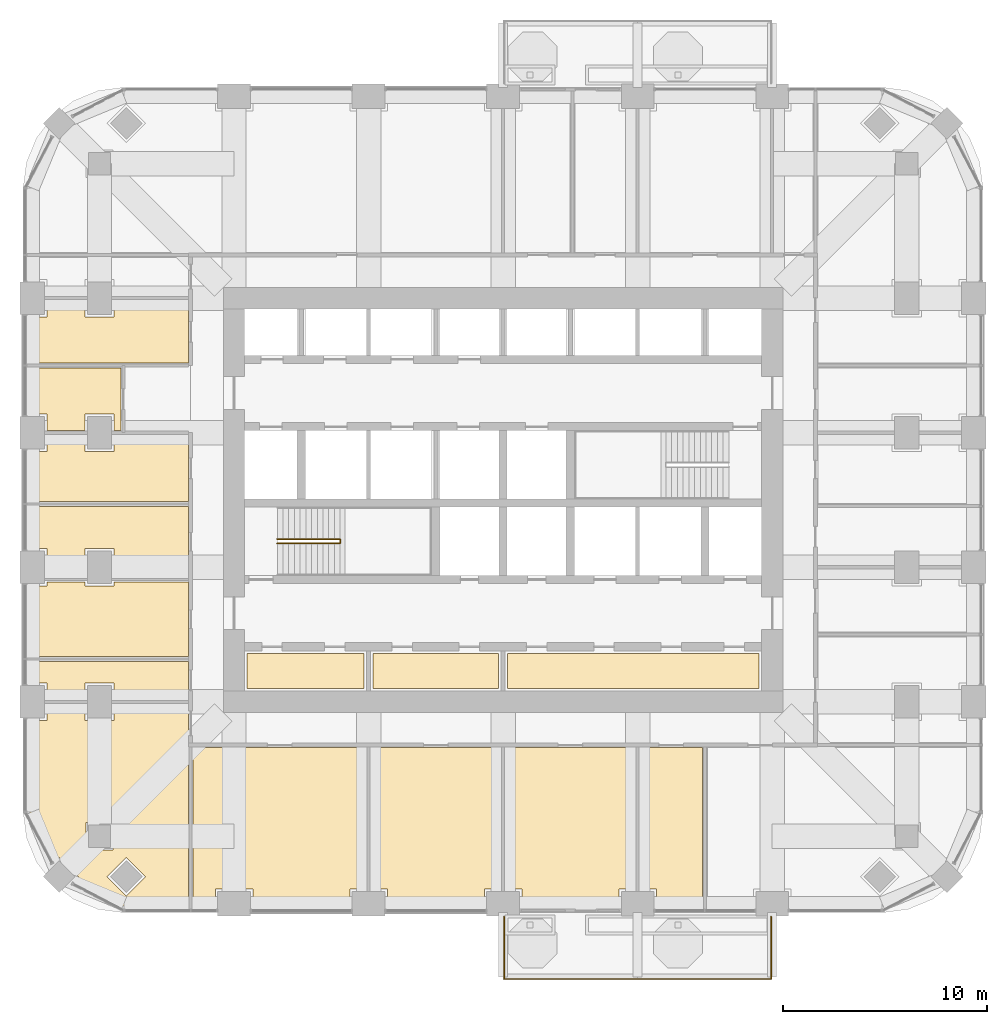
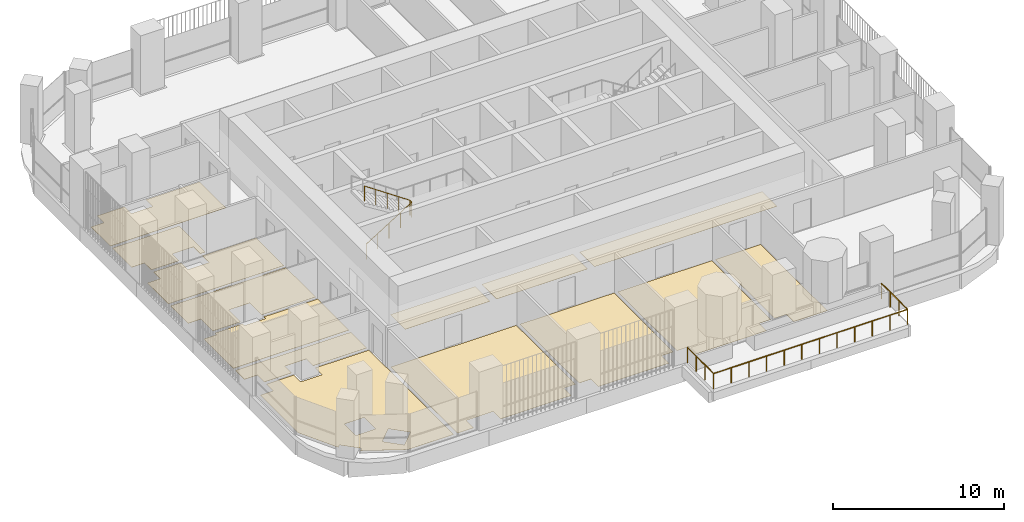
# One storey, part 17 of 20: 14 coverings, 2 railings.
"""IFC4 building model written with IfcOpenShell, lengths in metres."""

import ifcopenshell
import ifcopenshell.guid

model = None  # the IFC model being written
_history = None  # IfcOwnerHistory: only IFC2X3 demands one
_inside = {}  # id of a spatial element -> (the spatial element, [elements in it])
_under = {}  # id of a project, library or spatial element -> (it, [spatial elements below it])
_declared = {}  # id of a project -> (the project, [libraries it declares])
_typed = {}  # id of a type object -> (the type object, [elements of that type])
_made_of = {}  # id of a material, layer set ... -> (it, [elements and type objects made of it])


def new_model(schema):
    """Start an empty IFC model of exactly this schema.

    Asked for "IFC4X3", IfcOpenShell would pick the latest addendum, in which some entities
    have other attributes; the version numbers below select the first issue.
    IFC2X3 requires an IfcOwnerHistory on every rooted entity: one is made here for all.
    """
    global model, _history
    if schema == "IFC4X3":
        model = ifcopenshell.file(schema_version=(4, 3, 0, 0))
    else:
        model = ifcopenshell.file(schema=schema)
    _inside.clear()
    _under.clear()
    _declared.clear()
    _typed.clear()
    _made_of.clear()
    _history = None
    if model.schema == "IFC2X3":
        org = make("IfcOrganization", Name="unknown")
        user = make(
            "IfcPersonAndOrganization",
            ThePerson=make("IfcPerson", FamilyName="unknown"),
            TheOrganization=org,
        )
        app = make(
            "IfcApplication",
            ApplicationDeveloper=org,
            Version="unknown",
            ApplicationFullName="unknown",
            ApplicationIdentifier="unknown",
        )
        _history = make(
            "IfcOwnerHistory",
            OwningUser=user,
            OwningApplication=app,
            ChangeAction="ADDED",
            CreationDate=0,
        )
    return model


def make(cls, **values):
    """One entity of the class cls with the attributes given. An attribute that is None is left unset."""
    return model.create_entity(
        cls, **{name: value for name, value in values.items() if value is not None}
    )


def rooted(cls, **values):
    """An entity with a GlobalId (a new one), such as an element, a storey or a relation."""
    return make(cls, GlobalId=ifcopenshell.guid.new(), OwnerHistory=_history, **values)


def si_unit(unit_type, name, prefix=None):
    """IfcSIUnit, for example si_unit("LENGTHUNIT", "METRE", prefix="MILLI")."""
    return make("IfcSIUnit", UnitType=unit_type, Prefix=prefix, Name=name)


def assignment(units):
    """IfcUnitAssignment: the units of a project."""
    return None if units is None else make("IfcUnitAssignment", Units=units)


def point(xyz):
    """IfcCartesianPoint."""
    return None if xyz is None else make("IfcCartesianPoint", Coordinates=xyz)


def direction(xyz):
    """IfcDirection."""
    return None if xyz is None else make("IfcDirection", DirectionRatios=xyz)


def frame(location, z_axis=None, x_axis=None):
    """IfcAxis2Placement3D, a coordinate frame: its origin and axes. An axis left out is left unset."""
    return make(
        "IfcAxis2Placement3D",
        Location=point(location),
        Axis=direction(z_axis),
        RefDirection=direction(x_axis),
    )


def origin():
    """The frame at (0, 0, 0) with its axes left unset."""
    return frame((0.0, 0.0, 0.0))


def place(relative_to, where):
    """IfcLocalPlacement: puts the frame where relative to a parent placement (None: the world)."""
    return make(
        "IfcLocalPlacement", PlacementRelTo=relative_to, RelativePlacement=where
    )


def context(
    kind, dimensions, precision=None, world=None, true_north=None, identifier=None
):
    """IfcGeometricRepresentationContext, for example the 3D "Model" context."""
    return make(
        "IfcGeometricRepresentationContext",
        ContextIdentifier=identifier,
        ContextType=kind,
        CoordinateSpaceDimension=dimensions,
        Precision=precision,
        WorldCoordinateSystem=world,
        TrueNorth=true_north,
    )


def subcontext(parent, identifier, kind, view, scale=None):
    """IfcGeometricRepresentationSubContext, for example "Body" below "Model"."""
    return make(
        "IfcGeometricRepresentationSubContext",
        ContextIdentifier=identifier,
        ContextType=kind,
        ParentContext=parent,
        TargetScale=scale,
        TargetView=view,
    )


def project(units=None, contexts=None):
    """IfcProject with its units and contexts."""
    return rooted(
        "IfcProject",
        Name="project",
        RepresentationContexts=contexts,
        UnitsInContext=assignment(units),
    )


def spatial(cls, under=None, at=None, **own):
    """A site, building, storey or space (cls), placed at a placement, below another one or the project."""
    s = rooted(cls, ObjectPlacement=at, **own)
    if under is not None:
        _under.setdefault(under.id(), (under, []))[1].append(s)
    return s


def polyline(points):
    """IfcPolyline through the points."""
    return make("IfcPolyline", Points=[point(p) for p in points])


def outline(outer, holes=None, kind="AREA"):
    """IfcArbitraryClosedProfileDef: a profile drawn as a closed curve; with holes, ...WithVoids."""
    if holes is None:
        return make("IfcArbitraryClosedProfileDef", ProfileType=kind, OuterCurve=outer)
    return make(
        "IfcArbitraryProfileDefWithVoids",
        ProfileType=kind,
        OuterCurve=outer,
        InnerCurves=holes,
    )


def extrude(swept, where, along, depth):
    """IfcExtrudedAreaSolid: the profile swept, set in the frame where, extruded along a direction by depth."""
    return make(
        "IfcExtrudedAreaSolid",
        SweptArea=swept,
        Position=where,
        ExtrudedDirection=direction(along),
        Depth=depth,
    )


def shape(context_of_items, identifier, shape_type, items):
    """IfcShapeRepresentation: the items that make up one representation, for example the "Body"."""
    return make(
        "IfcShapeRepresentation",
        ContextOfItems=context_of_items,
        RepresentationIdentifier=identifier,
        RepresentationType=shape_type,
        Items=items,
    )


def material(Name=None, Category=None):
    """IfcMaterial."""
    return make("IfcMaterial", Name=Name, Category=Category)


def layer(
    of_material, thickness, ventilated=None, Name=None, Category=None, Priority=None
):
    """IfcMaterialLayer: one layer of a wall or slab, of a material (None: an air gap)."""
    return make(
        "IfcMaterialLayer",
        Material=of_material,
        LayerThickness=thickness,
        IsVentilated=ventilated,
        Name=Name,
        Category=Category,
        Priority=Priority,
    )


def layer_set(layers, Name=None):
    """IfcMaterialLayerSet."""
    return make("IfcMaterialLayerSet", MaterialLayers=layers, LayerSetName=Name)


def made_of(thing, what):
    """Note that an element or type object is made of a material, layer set ...; save() writes the relation."""
    if what is not None:
        _made_of.setdefault(what.id(), (what, []))[1].append(thing)
    return thing


def type_object(cls, material=None, **own):
    """A type object (cls), such as IfcWallType, which elements share."""
    return made_of(rooted(cls, **own), material)


def element(
    cls,
    number,
    at=None,
    inside=None,
    cuts=None,
    type_object=None,
    material=None,
    context=None,
    identifier="Body",
    shape_type=None,
    held_by="IfcProductDefinitionShape",
    body=None,
    shapes=None,
    **own,
):
    """One element of the class cls, such as IfcWall. Its Tag is "e" and its number.

    at: its placement. inside: the storey or other place that contains it. cuts: it is an
    opening in that element (IfcRelVoidsElement). A single representation is given by context,
    identifier, shape_type and body (its items); several are given by shapes. held_by: the class
    of the entity that holds the representations. save() writes the other relations.
    """
    e = rooted(cls, Tag="e%d" % number, ObjectPlacement=at, **own)
    if body is not None:
        shapes = [shape(context, identifier, shape_type, body)]
    if shapes is not None:
        e.Representation = make(held_by, Representations=shapes)
    if inside is not None:
        _inside.setdefault(inside.id(), (inside, []))[1].append(e)
    if cuts is not None:
        rooted(
            "IfcRelVoidsElement", RelatingBuildingElement=cuts, RelatedOpeningElement=e
        )
    if type_object is not None:
        _typed.setdefault(type_object.id(), (type_object, []))[1].append(e)
    return made_of(e, material)


def aggregate(whole, parts):
    """IfcRelAggregates: a whole, such as a stair, and the parts it consists of."""
    return rooted("IfcRelAggregates", RelatingObject=whole, RelatedObjects=parts)


def save(model, path):
    """Write the relations noted so far, then the file.

    IfcRelAggregates (storeys below a building ...), IfcRelContainedInSpatialStructure (elements
    in a storey), IfcRelDefinesByType, IfcRelAssociatesMaterial and IfcRelDeclares: one each for
    every whole, place, type object, material and project.
    """
    for whole, parts in _under.values():
        aggregate(whole, parts)
    for where, things in _inside.values():
        rooted(
            "IfcRelContainedInSpatialStructure",
            RelatedElements=things,
            RelatingStructure=where,
        )
    for kind, things in _typed.values():
        rooted("IfcRelDefinesByType", RelatedObjects=things, RelatingType=kind)
    for what, things in _made_of.values():
        rooted("IfcRelAssociatesMaterial", RelatedObjects=things, RelatingMaterial=what)
    for by, libraries in _declared.values():
        rooted("IfcRelDeclares", RelatingContext=by, RelatedDefinitions=libraries)
    model.write(path)


model = new_model("IFC4")

# Units and contexts
model_context = context("Model", 3, precision=1e-05, world=origin(), true_north=direction((0.0, 1.0)))
body_context = subcontext(model_context, "Body", "Model", "MODEL_VIEW")
ifc_project = project(units=[si_unit("LENGTHUNIT", "METRE"), si_unit("AREAUNIT", "SQUARE_METRE"), si_unit("VOLUMEUNIT", "CUBIC_METRE"), si_unit("PLANEANGLEUNIT", "RADIAN"), si_unit("MASSUNIT", "GRAM", prefix="KILO")], contexts=[model_context])

# Site, building, storey
site_placement = place(None, origin())
site = spatial("IfcSite", under=ifc_project, at=site_placement, CompositionType="ELEMENT")
building_placement = place(site_placement, origin())
building = spatial("IfcBuilding", under=site, at=building_placement, Name="Cobogo Forest Laboratory Tower", CompositionType="ELEMENT")
storey_placement = place(building_placement, frame((0.0, 0.0, 189.300048828125)))
storey = spatial("IfcBuildingStorey", under=building, at=storey_placement, Name="L43", CompositionType="ELEMENT", Elevation=189.300048828125)

# Railing
ifc_material_1 = material(Name="Laminated glass balustrade", Category="glass")
railing_type_1 = type_object("IfcRailingType", Name="BG1 glass balustrade 1100", PredefinedType="GUARDRAIL", material=ifc_material_1)
railing_1_placement = place(storey_placement, frame((26.449951171875, 2.64990234375, 0.0)))
element("IfcRailing", 1, at=railing_1_placement, inside=storey, type_object=railing_type_1, Name="Balcony balustrade BAL-S1 L43", PredefinedType="GUARDRAIL", context=body_context, shape_type="SweptSolid", body=[
    extrude(outline(polyline([(0.022216796875, 0.00927734375), (0.00927734375, 0.022216796875), (-0.00927734375, 0.022216796875), (-0.022216796875, 0.00927734375), (-0.022216796875, -0.00927734375), (-0.00927734375, -0.022216796875), (0.00927734375, -0.022216796875), (0.022216796875, -0.00927734375), (0.022216796875, 0.00927734375)])), frame((0.0, 0.0, 1.077880859375), z_axis=(0.0, -1.0, 0.0), x_axis=(1.0, 0.0, 0.0)), (0.0, 0.0, 1.0), 3.0498046875),
    extrude(outline(polyline([(0.022216796875, 0.00927734375), (0.00927734375, 0.022216796875), (-0.00927734375, 0.022216796875), (-0.022216796875, 0.00927734375), (-0.022216796875, -0.00927734375), (-0.00927734375, -0.022216796875), (0.00927734375, -0.022216796875), (0.022216796875, -0.00927734375), (0.022216796875, 0.00927734375)])), frame((0.0, -3.0498046875, 1.077880859375), z_axis=(1.0, 0.0, 0.0), x_axis=(0.0, 1.0, 0.0)), (0.0, 0.0, 1.0), 13.10009765625),
    extrude(outline(polyline([(0.022216796875, 0.00927734375), (0.00927734375, 0.022216796875), (-0.00927734375, 0.022216796875), (-0.022216796875, 0.00927734375), (-0.022216796875, -0.00927734375), (-0.00927734375, -0.022216796875), (0.00927734375, -0.022216796875), (0.022216796875, -0.00927734375), (0.022216796875, 0.00927734375)])), frame((13.10009765625, -3.0498046875, 1.077880859375), z_axis=(0.0, 1.0, 0.0), x_axis=(-1.0, 0.0, 0.0)), (0.0, 0.0, 1.0), 3.0498046875),
    extrude(outline(polyline([(0.019287109375, 0.008056640625), (0.008056640625, 0.019287109375), (-0.008056640625, 0.019287109375), (-0.019287109375, 0.008056640625), (-0.019287109375, -0.008056640625), (-0.008056640625, -0.019287109375), (0.008056640625, -0.019287109375), (0.019287109375, -0.008056640625), (0.019287109375, 0.008056640625)])), origin(), (0.0, 0.0, 1.0), 1.077880859375),
    extrude(outline(polyline([(0.019287109375, 0.008056640625), (0.008056640625, 0.019287109375), (-0.008056640625, 0.019287109375), (-0.019287109375, 0.008056640625), (-0.019287109375, -0.008056640625), (-0.008056640625, -0.019287109375), (0.008056640625, -0.019287109375), (0.019287109375, -0.008056640625), (0.019287109375, 0.008056640625)])), frame((0.0, -1.0166015625, 0.0)), (0.0, 0.0, 1.0), 1.077880859375),
    extrude(outline(polyline([(0.019287109375, 0.008056640625), (0.008056640625, 0.019287109375), (-0.008056640625, 0.019287109375), (-0.019287109375, 0.008056640625), (-0.019287109375, -0.008056640625), (-0.008056640625, -0.019287109375), (0.008056640625, -0.019287109375), (0.019287109375, -0.008056640625), (0.019287109375, 0.008056640625)])), frame((0.0, -2.033203125, 0.0)), (0.0, 0.0, 1.0), 1.077880859375),
    extrude(outline(polyline([(0.019287109375, 0.008056640625), (0.008056640625, 0.019287109375), (-0.008056640625, 0.019287109375), (-0.019287109375, 0.008056640625), (-0.019287109375, -0.008056640625), (-0.008056640625, -0.019287109375), (0.008056640625, -0.019287109375), (0.019287109375, -0.008056640625), (0.019287109375, 0.008056640625)])), frame((0.0, -3.0498046875, 0.0)), (0.0, 0.0, 1.0), 1.077880859375),
    extrude(outline(polyline([(0.019287109375, 0.008056640625), (0.008056640625, 0.019287109375), (-0.008056640625, 0.019287109375), (-0.019287109375, 0.008056640625), (-0.019287109375, -0.008056640625), (-0.008056640625, -0.019287109375), (0.008056640625, -0.019287109375), (0.019287109375, -0.008056640625), (0.019287109375, 0.008056640625)])), frame((1.19091796875, -3.0498046875, 0.0)), (0.0, 0.0, 1.0), 1.077880859375),
    extrude(outline(polyline([(0.019287109375, 0.008056640625), (0.008056640625, 0.019287109375), (-0.008056640625, 0.019287109375), (-0.019287109375, 0.008056640625), (-0.019287109375, -0.008056640625), (-0.008056640625, -0.019287109375), (0.008056640625, -0.019287109375), (0.019287109375, -0.008056640625), (0.019287109375, 0.008056640625)])), frame((2.3818359375, -3.0498046875, 0.0)), (0.0, 0.0, 1.0), 1.077880859375),
    extrude(outline(polyline([(0.019287109375, 0.008056640625), (0.008056640625, 0.019287109375), (-0.008056640625, 0.019287109375), (-0.019287109375, 0.008056640625), (-0.019287109375, -0.008056640625), (-0.008056640625, -0.019287109375), (0.008056640625, -0.019287109375), (0.019287109375, -0.008056640625), (0.019287109375, 0.008056640625)])), frame((3.57275390625, -3.0498046875, 0.0)), (0.0, 0.0, 1.0), 1.077880859375),
    extrude(outline(polyline([(0.019287109375, 0.008056640625), (0.008056640625, 0.019287109375), (-0.008056640625, 0.019287109375), (-0.019287109375, 0.008056640625), (-0.019287109375, -0.008056640625), (-0.008056640625, -0.019287109375), (0.008056640625, -0.019287109375), (0.019287109375, -0.008056640625), (0.019287109375, 0.008056640625)])), frame((4.763671875, -3.0498046875, 0.0)), (0.0, 0.0, 1.0), 1.077880859375),
    extrude(outline(polyline([(0.019287109375, 0.008056640625), (0.008056640625, 0.019287109375), (-0.008056640625, 0.019287109375), (-0.019287109375, 0.008056640625), (-0.019287109375, -0.008056640625), (-0.008056640625, -0.019287109375), (0.008056640625, -0.019287109375), (0.019287109375, -0.008056640625), (0.019287109375, 0.008056640625)])), frame((5.95458984375, -3.0498046875, 0.0)), (0.0, 0.0, 1.0), 1.077880859375),
    extrude(outline(polyline([(0.019287109375, 0.008056640625), (0.008056640625, 0.019287109375), (-0.008056640625, 0.019287109375), (-0.019287109375, 0.008056640625), (-0.019287109375, -0.008056640625), (-0.008056640625, -0.019287109375), (0.008056640625, -0.019287109375), (0.019287109375, -0.008056640625), (0.019287109375, 0.008056640625)])), frame((7.1455078125, -3.0498046875, 0.0)), (0.0, 0.0, 1.0), 1.077880859375),
    extrude(outline(polyline([(0.019287109375, 0.008056640625), (0.008056640625, 0.019287109375), (-0.008056640625, 0.019287109375), (-0.019287109375, 0.008056640625), (-0.019287109375, -0.008056640625), (-0.008056640625, -0.019287109375), (0.008056640625, -0.019287109375), (0.019287109375, -0.008056640625), (0.019287109375, 0.008056640625)])), frame((8.33642578125, -3.0498046875, 0.0)), (0.0, 0.0, 1.0), 1.077880859375),
    extrude(outline(polyline([(0.019287109375, 0.008056640625), (0.008056640625, 0.019287109375), (-0.008056640625, 0.019287109375), (-0.019287109375, 0.008056640625), (-0.019287109375, -0.008056640625), (-0.008056640625, -0.019287109375), (0.008056640625, -0.019287109375), (0.019287109375, -0.008056640625), (0.019287109375, 0.008056640625)])), frame((9.52734375, -3.0498046875, 0.0)), (0.0, 0.0, 1.0), 1.077880859375),
    extrude(outline(polyline([(0.019287109375, 0.008056640625), (0.008056640625, 0.019287109375), (-0.008056640625, 0.019287109375), (-0.019287109375, 0.008056640625), (-0.019287109375, -0.008056640625), (-0.008056640625, -0.019287109375), (0.008056640625, -0.019287109375), (0.019287109375, -0.008056640625), (0.019287109375, 0.008056640625)])), frame((10.71826171875, -3.0498046875, 0.0)), (0.0, 0.0, 1.0), 1.077880859375),
    extrude(outline(polyline([(0.019287109375, 0.008056640625), (0.008056640625, 0.019287109375), (-0.008056640625, 0.019287109375), (-0.019287109375, 0.008056640625), (-0.019287109375, -0.008056640625), (-0.008056640625, -0.019287109375), (0.008056640625, -0.019287109375), (0.019287109375, -0.008056640625), (0.019287109375, 0.008056640625)])), frame((11.9091796875, -3.0498046875, 0.0)), (0.0, 0.0, 1.0), 1.077880859375),
    extrude(outline(polyline([(0.019287109375, 0.008056640625), (0.008056640625, 0.019287109375), (-0.008056640625, 0.019287109375), (-0.019287109375, 0.008056640625), (-0.019287109375, -0.008056640625), (-0.008056640625, -0.019287109375), (0.008056640625, -0.019287109375), (0.019287109375, -0.008056640625), (0.019287109375, 0.008056640625)])), frame((13.10009765625, -3.0498046875, 0.0)), (0.0, 0.0, 1.0), 1.077880859375),
    extrude(outline(polyline([(0.019287109375, 0.008056640625), (0.008056640625, 0.019287109375), (-0.008056640625, 0.019287109375), (-0.019287109375, 0.008056640625), (-0.019287109375, -0.008056640625), (-0.008056640625, -0.019287109375), (0.008056640625, -0.019287109375), (0.019287109375, -0.008056640625), (0.019287109375, 0.008056640625)])), frame((13.10009765625, -2.033203125, 0.0)), (0.0, 0.0, 1.0), 1.077880859375),
    extrude(outline(polyline([(0.019287109375, 0.008056640625), (0.008056640625, 0.019287109375), (-0.008056640625, 0.019287109375), (-0.019287109375, 0.008056640625), (-0.019287109375, -0.008056640625), (-0.008056640625, -0.019287109375), (0.008056640625, -0.019287109375), (0.019287109375, -0.008056640625), (0.019287109375, 0.008056640625)])), frame((13.10009765625, -1.0166015625, 0.0)), (0.0, 0.0, 1.0), 1.077880859375),
    extrude(outline(polyline([(0.019287109375, 0.008056640625), (0.008056640625, 0.019287109375), (-0.008056640625, 0.019287109375), (-0.019287109375, 0.008056640625), (-0.019287109375, -0.008056640625), (-0.008056640625, -0.019287109375), (0.008056640625, -0.019287109375), (0.019287109375, -0.008056640625), (0.019287109375, 0.008056640625)])), frame((13.10009765625, 0.0, 0.0)), (0.0, 0.0, 1.0), 1.077880859375),
])

# Coverings
ifc_material_2 = material(Name="Carpet tile on raised access floor", Category="flooring")
ifc_layer_1 = layer(ifc_material_2, 0.008056640625)
ifc_layer_set_1 = layer_set([ifc_layer_1], Name="CT1 carpet tile floor 8")
covering_type_1 = type_object("IfcCoveringType", Name="CT1 carpet tile floor 8", PredefinedType="FLOORING", material=ifc_layer_set_1)
covering_1_placement = place(storey_placement, origin())
element("IfcCovering", 2, at=covering_1_placement, inside=storey, type_object=covering_type_1, Name="Carpet floor L43-22", PredefinedType="FLOORING", context=body_context, shape_type="SweptSolid", body=[
    extrude(outline(polyline([(7.655029296875, 26.52001953125), (7.320068359375, 26.52001953125), (7.320068359375, 27.320068359375), (5.8798828125, 27.320068359375), (5.8798828125, 26.52001953125), (4.02001953125, 26.52001953125), (4.02001953125, 27.320068359375), (3.14990234375, 27.320068359375), (3.14990234375, 29.580078125), (7.655029296875, 29.580078125), (7.655029296875, 26.52001953125)])), origin(), (0.0, 0.0, 1.0), 0.008056640625),
])
covering_2_placement = place(storey_placement, origin())
element("IfcCovering", 3, at=covering_2_placement, inside=storey, type_object=covering_type_1, Name="Carpet floor L43-23", PredefinedType="FLOORING", context=body_context, shape_type="SweptSolid", body=[
    extrude(outline(polyline([(10.955078125, 29.820068359375), (3.14990234375, 29.820068359375), (3.14990234375, 32.080078125), (4.02001953125, 32.080078125), (4.02001953125, 32.8798828125), (5.8798828125, 32.8798828125), (5.8798828125, 32.080078125), (7.320068359375, 32.080078125), (7.320068359375, 32.8798828125), (10.955078125, 32.8798828125), (10.955078125, 29.820068359375)])), origin(), (0.0, 0.0, 1.0), 0.008056640625),
])
covering_3_placement = place(storey_placement, origin())
element("IfcCovering", 4, at=covering_3_placement, inside=storey, type_object=covering_type_1, Name="Carpet floor L43-32", PredefinedType="FLOORING", context=body_context, shape_type="SweptSolid", body=[
    extrude(outline(polyline([(19.580078125, 13.844970703125), (13.844970703125, 13.844970703125), (13.844970703125, 15.580078125), (19.580078125, 15.580078125), (19.580078125, 13.844970703125)])), origin(), (0.0, 0.0, 1.0), 0.008056640625),
])
covering_4_placement = place(storey_placement, origin())
element("IfcCovering", 5, at=covering_4_placement, inside=storey, type_object=covering_type_1, Name="Carpet floor L43-33", PredefinedType="FLOORING", context=body_context, shape_type="SweptSolid", body=[
    extrude(outline(polyline([(26.179931640625, 13.844970703125), (20.02001953125, 13.844970703125), (20.02001953125, 15.580078125), (26.179931640625, 15.580078125), (26.179931640625, 13.844970703125)])), origin(), (0.0, 0.0, 1.0), 0.008056640625),
])
covering_5_placement = place(storey_placement, origin())
element("IfcCovering", 6, at=covering_5_placement, inside=storey, type_object=covering_type_1, Name="Carpet floor L43-34", PredefinedType="FLOORING", context=body_context, shape_type="SweptSolid", body=[
    extrude(outline(polyline([(38.955078125, 13.844970703125), (26.6201171875, 13.844970703125), (26.6201171875, 15.580078125), (38.955078125, 15.580078125), (38.955078125, 13.844970703125)])), origin(), (0.0, 0.0, 1.0), 0.008056640625),
])

# Railing
ifc_material_3 = material(Name="Steel balustrade", Category="steel")
railing_type_2 = type_object("IfcRailingType", Name="GR stair guard 1100", PredefinedType="GUARDRAIL", material=ifc_material_3)
railing_2_placement = place(storey_placement, frame((15.324951171875, 20.969970703125, 0.175048828125)))
element("IfcRailing", 7, at=railing_2_placement, inside=storey, type_object=railing_type_2, Name="Stair guard ST1 L43", PredefinedType="GUARDRAIL", context=body_context, shape_type="SweptSolid", body=[
    extrude(outline(polyline([(0.022216796875, 0.00927734375), (0.00927734375, 0.022216796875), (-0.00927734375, 0.022216796875), (-0.022216796875, 0.00927734375), (-0.022216796875, -0.00927734375), (-0.00927734375, -0.022216796875), (0.00927734375, -0.022216796875), (0.022216796875, -0.00927734375), (0.022216796875, 0.00927734375)])), frame((0.0, 0.0, 1.077880859375), z_axis=(0.848028513186, 0.0, 0.529950602248), x_axis=(0.0, 1.0, 0.0)), (0.0, 0.0, 1.0), 3.632080078125),
    extrude(outline(polyline([(0.022216796875, 0.00927734375), (0.00927734375, 0.022216796875), (-0.00927734375, 0.022216796875), (-0.022216796875, 0.00927734375), (-0.022216796875, -0.00927734375), (-0.00927734375, -0.022216796875), (0.00927734375, -0.022216796875), (0.022216796875, -0.00927734375), (0.022216796875, 0.00927734375)])), frame((3.080078125, 0.0, 3.002685546875), z_axis=(0.0, 1.0, 0.0), x_axis=(-1.0, 0.0, 0.0)), (0.0, 0.0, 1.0), 0.2099609375),
    extrude(outline(polyline([(0.022216796875, 0.00927734375), (0.00927734375, 0.022216796875), (-0.00927734375, 0.022216796875), (-0.022216796875, 0.00927734375), (-0.022216796875, -0.00927734375), (-0.00927734375, -0.022216796875), (0.00927734375, -0.022216796875), (0.022216796875, -0.00927734375), (0.022216796875, 0.00927734375)])), frame((3.080078125, 0.2099609375, 3.002685546875), z_axis=(-0.826221800596, 0.0, 0.563344953133), x_axis=(0.0, -1.0, 0.0)), (0.0, 0.0, 1.0), 3.72802734375),
    extrude(outline(polyline([(0.019287109375, 0.008056640625), (0.008056640625, 0.019287109375), (-0.008056640625, 0.019287109375), (-0.019287109375, 0.008056640625), (-0.019287109375, -0.008056640625), (-0.008056640625, -0.019287109375), (0.008056640625, -0.019287109375), (0.019287109375, -0.008056640625), (0.019287109375, 0.008056640625)])), origin(), (0.0, 0.0, 1.0), 1.077880859375),
    extrude(outline(polyline([(0.019287109375, 0.008056640625), (0.008056640625, 0.019287109375), (-0.008056640625, 0.019287109375), (-0.019287109375, 0.008056640625), (-0.019287109375, -0.008056640625), (-0.008056640625, -0.019287109375), (0.008056640625, -0.019287109375), (0.019287109375, -0.008056640625), (0.019287109375, 0.008056640625)])), frame((0.77001953125, 0.0, 0.481201171875)), (0.0, 0.0, 1.0), 1.077880859375),
    extrude(outline(polyline([(0.019287109375, 0.008056640625), (0.008056640625, 0.019287109375), (-0.008056640625, 0.019287109375), (-0.019287109375, 0.008056640625), (-0.019287109375, -0.008056640625), (-0.008056640625, -0.019287109375), (0.008056640625, -0.019287109375), (0.019287109375, -0.008056640625), (0.019287109375, 0.008056640625)])), frame((1.5400390625, 0.0, 0.96240234375)), (0.0, 0.0, 1.0), 1.077880859375),
    extrude(outline(polyline([(0.019287109375, 0.008056640625), (0.008056640625, 0.019287109375), (-0.008056640625, 0.019287109375), (-0.019287109375, 0.008056640625), (-0.019287109375, -0.008056640625), (-0.008056640625, -0.019287109375), (0.008056640625, -0.019287109375), (0.019287109375, -0.008056640625), (0.019287109375, 0.008056640625)])), frame((2.31005859375, 0.0, 1.443603515625)), (0.0, 0.0, 1.0), 1.077880859375),
    extrude(outline(polyline([(0.019287109375, 0.008056640625), (0.008056640625, 0.019287109375), (-0.008056640625, 0.019287109375), (-0.019287109375, 0.008056640625), (-0.019287109375, -0.008056640625), (-0.008056640625, -0.019287109375), (0.008056640625, -0.019287109375), (0.019287109375, -0.008056640625), (0.019287109375, 0.008056640625)])), frame((3.080078125, 0.0, 1.9248046875)), (0.0, 0.0, 1.0), 1.077880859375),
    extrude(outline(polyline([(0.019287109375, 0.008056640625), (0.008056640625, 0.019287109375), (-0.008056640625, 0.019287109375), (-0.019287109375, 0.008056640625), (-0.019287109375, -0.008056640625), (-0.008056640625, -0.019287109375), (0.008056640625, -0.019287109375), (0.019287109375, -0.008056640625), (0.019287109375, 0.008056640625)])), frame((3.080078125, 0.2099609375, 1.9248046875)), (0.0, 0.0, 1.0), 1.077880859375),
    extrude(outline(polyline([(0.019287109375, 0.008056640625), (0.008056640625, 0.019287109375), (-0.008056640625, 0.019287109375), (-0.019287109375, 0.008056640625), (-0.019287109375, -0.008056640625), (-0.008056640625, -0.019287109375), (0.008056640625, -0.019287109375), (0.019287109375, -0.008056640625), (0.019287109375, 0.008056640625)])), frame((2.31005859375, 0.2099609375, 2.44970703125)), (0.0, 0.0, 1.0), 1.077880859375),
    extrude(outline(polyline([(0.019287109375, 0.008056640625), (0.008056640625, 0.019287109375), (-0.008056640625, 0.019287109375), (-0.019287109375, 0.008056640625), (-0.019287109375, -0.008056640625), (-0.008056640625, -0.019287109375), (0.008056640625, -0.019287109375), (0.019287109375, -0.008056640625), (0.019287109375, 0.008056640625)])), frame((1.5400390625, 0.2099609375, 2.974853515625)), (0.0, 0.0, 1.0), 1.077880859375),
    extrude(outline(polyline([(0.019287109375, 0.008056640625), (0.008056640625, 0.019287109375), (-0.008056640625, 0.019287109375), (-0.019287109375, 0.008056640625), (-0.019287109375, -0.008056640625), (-0.008056640625, -0.019287109375), (0.008056640625, -0.019287109375), (0.019287109375, -0.008056640625), (0.019287109375, 0.008056640625)])), frame((0.77001953125, 0.2099609375, 3.5)), (0.0, 0.0, 1.0), 1.077880859375),
    extrude(outline(polyline([(0.019287109375, 0.008056640625), (0.008056640625, 0.019287109375), (-0.008056640625, 0.019287109375), (-0.019287109375, 0.008056640625), (-0.019287109375, -0.008056640625), (-0.008056640625, -0.019287109375), (0.008056640625, -0.019287109375), (0.019287109375, -0.008056640625), (0.019287109375, 0.008056640625)])), frame((0.0, 0.2099609375, 4.02490234375)), (0.0, 0.0, 1.0), 1.077880859375),
])

# Coverings
ifc_material_4 = material(Name="Static-dissipative vinyl flooring", Category="flooring")
ifc_layer_2 = layer(ifc_material_4, 0.0029296875)
ifc_layer_set_2 = layer_set([ifc_layer_2], Name="SD1 static-dissipative vinyl floor 3")
covering_type_2 = type_object("IfcCoveringType", Name="SD1 static-dissipative vinyl floor 3", PredefinedType="FLOORING", material=ifc_layer_set_2)
covering_6_placement = place(storey_placement, origin())
element("IfcCovering", 8, at=covering_6_placement, inside=storey, type_object=covering_type_2, Name="Static-dissipative floor L43-01", PredefinedType="FLOORING", context=body_context, shape_type="SweptSolid", body=[
    extrude(outline(polyline([(19.679931640625, 10.955078125), (19.679931640625, 4.02001953125), (18.8798828125, 4.02001953125), (18.8798828125, 3.14990234375), (14.1201171875, 3.14990234375), (14.1201171875, 4.02001953125), (12.280029296875, 4.02001953125), (12.280029296875, 3.14990234375), (11.195068359375, 3.14990234375), (11.195068359375, 10.955078125), (19.679931640625, 10.955078125)])), origin(), (0.0, 0.0, 1.0), 0.0029296875),
])
covering_7_placement = place(storey_placement, origin())
element("IfcCovering", 9, at=covering_7_placement, inside=storey, type_object=covering_type_2, Name="Static-dissipative floor L43-02", PredefinedType="FLOORING", context=body_context, shape_type="SweptSolid", body=[
    extrude(outline(polyline([(26.280029296875, 10.955078125), (26.280029296875, 4.02001953125), (25.47998046875, 4.02001953125), (25.47998046875, 3.14990234375), (20.719970703125, 3.14990234375), (20.719970703125, 4.02001953125), (19.919921875, 4.02001953125), (19.919921875, 10.955078125), (26.280029296875, 10.955078125)])), origin(), (0.0, 0.0, 1.0), 0.0029296875),
])
covering_8_placement = place(storey_placement, origin())
element("IfcCovering", 10, at=covering_8_placement, inside=storey, type_object=covering_type_2, Name="Static-dissipative floor L43-03", PredefinedType="FLOORING", context=body_context, shape_type="SweptSolid", body=[
    extrude(outline(polyline([(32.8798828125, 10.955078125), (32.8798828125, 4.02001953125), (32.080078125, 4.02001953125), (32.080078125, 3.14990234375), (27.320068359375, 3.14990234375), (27.320068359375, 4.02001953125), (26.52001953125, 4.02001953125), (26.52001953125, 10.955078125), (32.8798828125, 10.955078125)])), origin(), (0.0, 0.0, 1.0), 0.0029296875),
])
covering_9_placement = place(storey_placement, origin())
element("IfcCovering", 11, at=covering_9_placement, inside=storey, type_object=covering_type_2, Name="Static-dissipative floor L43-04", PredefinedType="FLOORING", context=body_context, shape_type="SweptSolid", body=[
    extrude(outline(polyline([(36.179931640625, 10.955078125), (36.179931640625, 3.14990234375), (33.919921875, 3.14990234375), (33.919921875, 4.02001953125), (33.1201171875, 4.02001953125), (33.1201171875, 10.955078125), (36.179931640625, 10.955078125)])), origin(), (0.0, 0.0, 1.0), 0.0029296875),
])
covering_10_placement = place(storey_placement, origin())
element("IfcCovering", 12, at=covering_10_placement, inside=storey, type_object=covering_type_2, Name="Static-dissipative floor L43-17", PredefinedType="FLOORING", context=body_context, shape_type="SweptSolid", body=[
    extrude(outline(polyline([(10.955078125, 3.14990234375), (7.84912109375, 3.14990234375), (5.387939453125, 4.440185546875), (5.5654296875, 4.617919921875), (4.617919921875, 5.5654296875), (4.440185546875, 5.387939453125), (3.14990234375, 7.84912109375), (3.14990234375, 12.280029296875), (4.02001953125, 12.280029296875), (4.02001953125, 13.080078125), (5.8798828125, 13.080078125), (5.8798828125, 12.280029296875), (7.320068359375, 12.280029296875), (7.320068359375, 13.080078125), (10.955078125, 13.080078125), (10.955078125, 3.14990234375)]), holes=[polyline([(7.91796875, 3.67041015625), (8.865478515625, 4.617919921875), (7.91796875, 5.5654296875), (6.970458984375, 4.617919921875), (7.91796875, 3.67041015625)]), polyline([(5.929931640625, 5.929931640625), (7.27001953125, 5.929931640625), (7.27001953125, 7.27001953125), (5.929931640625, 7.27001953125), (5.929931640625, 5.929931640625)])]), origin(), (0.0, 0.0, 1.0), 0.0029296875),
])
ifc_material_5 = material(Name="Ceramic floor tile", Category="flooring")
ifc_layer_3 = layer(ifc_material_5, 0.010009765625)
ifc_layer_set_3 = layer_set([ifc_layer_3], Name="TF1 ceramic tile floor 10")
covering_type_3 = type_object("IfcCoveringType", Name="TF1 ceramic tile floor 10", PredefinedType="FLOORING", material=ifc_layer_set_3)
covering_11_placement = place(storey_placement, origin())
element("IfcCovering", 13, at=covering_11_placement, inside=storey, type_object=covering_type_3, Name="Tile floor L43-18", PredefinedType="FLOORING", context=body_context, shape_type="SweptSolid", body=[
    extrude(outline(polyline([(10.955078125, 13.320068359375), (7.320068359375, 13.320068359375), (7.320068359375, 14.1201171875), (5.8798828125, 14.1201171875), (5.8798828125, 13.320068359375), (4.02001953125, 13.320068359375), (4.02001953125, 14.1201171875), (3.14990234375, 14.1201171875), (3.14990234375, 15.179931640625), (10.955078125, 15.179931640625), (10.955078125, 13.320068359375)])), origin(), (0.0, 0.0, 1.0), 0.010009765625),
])
covering_12_placement = place(storey_placement, origin())
element("IfcCovering", 14, at=covering_12_placement, inside=storey, type_object=covering_type_3, Name="Tile floor L43-19", PredefinedType="FLOORING", context=body_context, shape_type="SweptSolid", body=[
    extrude(outline(polyline([(10.955078125, 15.419921875), (3.14990234375, 15.419921875), (3.14990234375, 18.8798828125), (4.02001953125, 18.8798828125), (4.02001953125, 19.080078125), (5.8798828125, 19.080078125), (5.8798828125, 18.8798828125), (7.320068359375, 18.8798828125), (7.320068359375, 19.080078125), (10.955078125, 19.080078125), (10.955078125, 15.419921875)])), origin(), (0.0, 0.0, 1.0), 0.010009765625),
])
covering_13_placement = place(storey_placement, origin())
element("IfcCovering", 15, at=covering_13_placement, inside=storey, type_object=covering_type_3, Name="Tile floor L43-20", PredefinedType="FLOORING", context=body_context, shape_type="SweptSolid", body=[
    extrude(outline(polyline([(10.955078125, 19.320068359375), (7.320068359375, 19.320068359375), (7.320068359375, 20.719970703125), (5.8798828125, 20.719970703125), (5.8798828125, 19.320068359375), (4.02001953125, 19.320068359375), (4.02001953125, 20.719970703125), (3.14990234375, 20.719970703125), (3.14990234375, 22.780029296875), (10.955078125, 22.780029296875), (10.955078125, 19.320068359375)])), origin(), (0.0, 0.0, 1.0), 0.010009765625),
])
covering_14_placement = place(storey_placement, origin())
element("IfcCovering", 16, at=covering_14_placement, inside=storey, type_object=covering_type_3, Name="Tile floor L43-21", PredefinedType="FLOORING", context=body_context, shape_type="SweptSolid", body=[
    extrude(outline(polyline([(10.955078125, 23.02001953125), (3.14990234375, 23.02001953125), (3.14990234375, 25.47998046875), (4.02001953125, 25.47998046875), (4.02001953125, 26.280029296875), (5.8798828125, 26.280029296875), (5.8798828125, 25.47998046875), (7.320068359375, 25.47998046875), (7.320068359375, 26.280029296875), (10.955078125, 26.280029296875), (10.955078125, 23.02001953125)])), origin(), (0.0, 0.0, 1.0), 0.010009765625),
])

save(model, "model.ifc")
